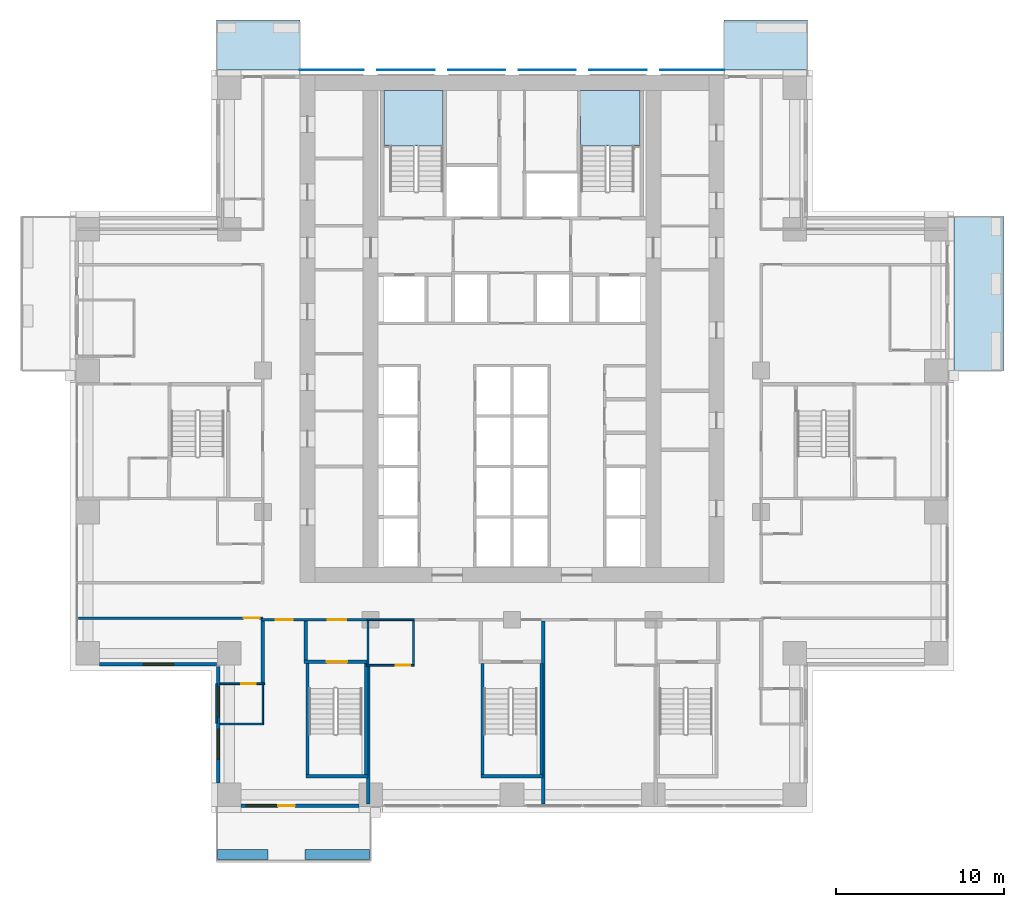
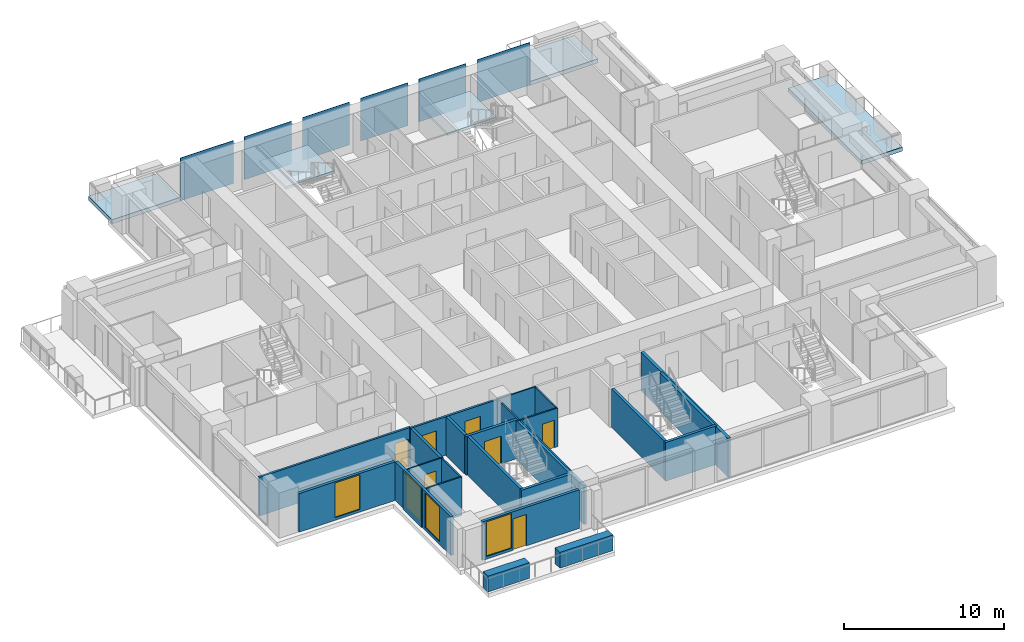
# One storey, part 6 of 16: 26 walls, 7 doors, 6 plates, 5 slabs, 4 windows, 11 openings, 2 elements without a shape of their own.
"""IFC4 building model written with IfcOpenShell, lengths in metres."""

from ifc_helpers import new_model, si_unit, direction, frame, frame_2d, origin, origin_2d, place, context, subcontext, project, spatial, polyline, rectangle, outline, extrude, material, layer, layer_set, type_object, element, fill, aggregate, save


model = new_model("IFC4")

# Units and contexts
model_context = context("Model", 3, precision=1e-05, world=origin(), true_north=direction((0.0, 1.0)))
body_context = subcontext(model_context, "Body", "Model", "MODEL_VIEW")
ifc_project = project(units=[si_unit("LENGTHUNIT", "METRE"), si_unit("AREAUNIT", "SQUARE_METRE"), si_unit("VOLUMEUNIT", "CUBIC_METRE"), si_unit("PLANEANGLEUNIT", "RADIAN"), si_unit("MASSUNIT", "GRAM", prefix="KILO")], contexts=[model_context])

# Site, building, storey
site_placement = place(None, origin())
site = spatial("IfcSite", under=ifc_project, at=site_placement, CompositionType="ELEMENT")
building_placement = place(site_placement, origin())
building = spatial("IfcBuilding", under=site, at=building_placement, Name="Vermilion Ogive Tower", CompositionType="ELEMENT")
storey_placement = place(building_placement, frame((0.0, 0.0, 72.449951171875)))
storey = spatial("IfcBuildingStorey", under=building, at=storey_placement, Name="L17", CompositionType="ELEMENT", Elevation=72.449951171875)

# Slabs
ifc_material_1 = material(Name="Concrete B40", Category="concrete")
ifc_layer_1 = layer(ifc_material_1, 0.300048828125)
ifc_layer_set_1 = layer_set([ifc_layer_1], Name="Balcony slab")
slab_type_1 = type_object("IfcSlabType", Name="Balcony slab", PredefinedType="FLOOR", material=ifc_layer_set_1)
slab_1_placement = place(storey_placement, frame((0.0, 0.0, -0.33984375)))
element("IfcSlab", 1, at=slab_1_placement, inside=storey, type_object=slab_type_1, Name="Balcony slab E03", PredefinedType="FLOOR", context=body_context, shape_type="SweptSolid", body=[
    extrude(outline(polyline([(29.22998046875, 4.199951171875), (29.22998046875, 13.35009765625), (26.25, 13.35009765625), (26.25, 4.199951171875), (29.22998046875, 4.199951171875)])), origin(), (0.0, 0.0, 1.0), 0.2998046875),
])
slab_2_placement = place(storey_placement, frame((0.0, 0.0, -0.33984375)))
element("IfcSlab", 2, at=slab_2_placement, inside=storey, type_object=slab_type_1, Name="Balcony slab N101", PredefinedType="FLOOR", context=body_context, shape_type="SweptSolid", body=[
    extrude(outline(polyline([(17.550048828125, 25.030029296875), (12.60009765625, 25.030029296875), (12.60009765625, 22.050048828125), (17.550048828125, 22.050048828125), (17.550048828125, 25.030029296875)])), origin(), (0.0, 0.0, 1.0), 0.2998046875),
])
slab_3_placement = place(storey_placement, frame((0.0, 0.0, -0.33984375)))
element("IfcSlab", 3, at=slab_3_placement, inside=storey, type_object=slab_type_1, Name="Balcony slab N201", PredefinedType="FLOOR", context=body_context, shape_type="SweptSolid", body=[
    extrude(outline(polyline([(-12.60009765625, 25.030029296875), (-17.550048828125, 25.030029296875), (-17.550048828125, 22.050048828125), (-12.60009765625, 22.050048828125), (-12.60009765625, 25.030029296875)])), origin(), (0.0, 0.0, 1.0), 0.2998046875),
])

# Plates
ifc_material_2 = material(Name="Low-iron laminated glazing in aluminium frame", Category="aluminium")
ifc_layer_2 = layer(ifc_material_2, 0.031982421875)
ifc_layer_set_2 = layer_set([ifc_layer_2], Name="Glazed rainscreen sheet 32")
plate_type = type_object("IfcPlateType", Name="Glazed rainscreen sheet 32", PredefinedType="SHEET", material=ifc_layer_set_2)
plate_1_placement = place(storey_placement, frame((-10.7099609375, 22.06591796875, -0.320068359375), z_axis=(0.0, 0.0, 1.0), x_axis=(1.0, 0.0, 0.0)))
element("IfcPlate", 4, at=plate_1_placement, inside=storey, type_object=plate_type, Name="Glazed rainscreen sheet N1", PredefinedType="SHEET", context=body_context, shape_type="SweptSolid", body=[
    extrude(rectangle(XDim=3.820068359375, YDim=0.031982421875, at=origin_2d()), origin(), (0.0, 0.0, 1.0), 3.27001953125),
])
for number, where, z_axis, x_axis, name in (
    (5, (-6.300048828125, 22.06591796875, -0.320068359375), (0.0, 0.0, 1.0), (1.0, 0.0, 0.0), "Glazed rainscreen sheet N2"),
    (6, (-2.10009765625, 22.06591796875, -0.320068359375), (0.0, 0.0, 1.0), (1.0, 0.0, 0.0), "Glazed rainscreen sheet N3"),
    (7, (2.10009765625, 22.06591796875, -0.320068359375), (0.0, 0.0, 1.0), (1.0, 0.0, 0.0), "Glazed rainscreen sheet N4"),
    (8, (6.300048828125, 22.06591796875, -0.320068359375), (0.0, 0.0, 1.0), (1.0, 0.0, 0.0), "Glazed rainscreen sheet N5"),
):
    element("IfcPlate", number, at=place(storey_placement, frame(where, z_axis=z_axis, x_axis=x_axis)), inside=storey, type_object=plate_type, Name=name, PredefinedType="SHEET", context=body_context, shape_type="SweptSolid", body=[
        extrude(rectangle(XDim=3.39990234375, YDim=0.031982421875, at=origin_2d()), origin(), (0.0, 0.0, 1.0), 3.27001953125),
    ])
plate_2_placement = place(storey_placement, frame((10.7099609375, 22.06591796875, -0.320068359375), z_axis=(0.0, 0.0, 1.0), x_axis=(1.0, 0.0, 0.0)))
element("IfcPlate", 9, at=plate_2_placement, inside=storey, type_object=plate_type, Name="Glazed rainscreen sheet N6", PredefinedType="SHEET", context=body_context, shape_type="SweptSolid", body=[
    extrude(rectangle(XDim=3.820068359375, YDim=0.031982421875, at=origin_2d()), origin(), (0.0, 0.0, 1.0), 3.27001953125),
])

# Stair, slab
ifc_material_3 = material(Name="Concrete B40", Category="concrete")
stair_type = type_object("IfcStairType", Name="Exit stair 1500", PredefinedType="HALF_TURN_STAIR", material=ifc_material_3)
stair_1_placement = place(storey_placement, origin())
stair_1 = element("IfcStair", 10, at=stair_1_placement, inside=storey, type_object=stair_type, Name="L17 Exit Stair ST1", PredefinedType="HALF_TURN_STAIR")
ifc_material_4 = material(Name="Concrete B40", Category="concrete")
ifc_layer_3 = layer(ifc_material_4, 0.199951171875)
ifc_layer_set_3 = layer_set([ifc_layer_3], Name="Stair landing 200")
slab_type_2 = type_object("IfcSlabType", Name="Stair landing 200", PredefinedType="LANDING", material=ifc_layer_set_3)
slab_4_placement = place(storey_placement, frame((0.0, 0.0, 1.525146484375)))
slab_4 = element("IfcSlab", 11, at=slab_4_placement, type_object=slab_type_2, Name="ST1 landing 1", PredefinedType="LANDING", context=body_context, shape_type="SweptSolid", body=[
    extrude(outline(polyline([(-7.60009765625, 17.550048828125), (-7.25, 17.550048828125), (-7.25, 17.548095703125), (-5.75, 17.548095703125), (-5.75, 17.550048828125), (-5.60009765625, 17.550048828125), (-5.60009765625, 17.548095703125), (-4.10009765625, 17.548095703125), (-4.10009765625, 20.85009765625), (-7.60009765625, 20.85009765625), (-7.60009765625, 17.550048828125)])), origin(), (0.0, 0.0, 1.0), 0.199951171875),
])
aggregate(stair_1, [slab_4])

stair_2_placement = place(storey_placement, origin())
stair_2 = element("IfcStair", 12, at=stair_2_placement, inside=storey, type_object=stair_type, Name="L17 Exit Stair ST2", PredefinedType="HALF_TURN_STAIR")
slab_5_placement = place(storey_placement, frame((0.0, 0.0, 1.525146484375)))
slab_5 = element("IfcSlab", 13, at=slab_5_placement, type_object=slab_type_2, Name="ST2 landing 1", PredefinedType="LANDING", context=body_context, shape_type="SweptSolid", body=[
    extrude(outline(polyline([(5.60009765625, 17.550048828125), (5.75, 17.550048828125), (5.75, 17.548095703125), (7.25, 17.548095703125), (7.25, 17.550048828125), (7.60009765625, 17.550048828125), (7.60009765625, 20.85009765625), (4.074951171875, 20.85009765625), (4.074951171875, 17.550048828125), (4.10009765625, 17.550048828125), (4.10009765625, 17.548095703125), (5.60009765625, 17.548095703125), (5.60009765625, 17.550048828125)])), origin(), (0.0, 0.0, 1.0), 0.199951171875),
])
aggregate(stair_2, [slab_5])

# Wall
ifc_material_5 = material(Name="Gypsum board partition on steel studs", Category="steel")
ifc_layer_4 = layer(ifc_material_5, 0.10009765625)
ifc_layer_set_4 = layer_set([ifc_layer_4], Name="Partition 100 bath")
wall_type_1 = type_object("IfcWallType", Name="Partition 100 bath", PredefinedType="PARTITIONING", material=ifc_layer_set_4)
wall_1_placement = place(storey_placement, frame((-17.35009765625, -16.800048828125, 0.0), z_axis=(0.0, 0.0, 1.0), x_axis=(1.0, 0.0, 0.0)))
element("IfcWall", 14, at=wall_1_placement, inside=storey, type_object=wall_type_1, Name="L17-W-W004", PredefinedType="PARTITIONING", context=body_context, shape_type="SweptSolid", body=[
    extrude(rectangle(XDim=2.59814453125, YDim=0.10009765625, at=frame_2d((1.299072265625, 0.0))), origin(), (0.0, 0.0, 1.0), 2.949951171875),
])

# Wall, opening, door
wall_2_placement = place(storey_placement, frame((-17.35009765625, -14.39990234375, 0.0), z_axis=(0.0, 0.0, 1.0), x_axis=(1.0, 0.0, 0.0)))
wall_2 = element("IfcWall", 15, at=wall_2_placement, inside=storey, type_object=wall_type_1, Name="L17-W-W008", PredefinedType="PARTITIONING", context=body_context, shape_type="SweptSolid", body=[
    extrude(rectangle(XDim=2.650146484375, YDim=0.10009765625, at=frame_2d((1.3251953125, 0.0))), origin(), (0.0, 0.0, 1.0), 2.949951171875),
])
opening_1_placement = place(wall_2_placement, frame((1.27490234375, 0.0, 0.0)))
opening_1 = element("IfcOpeningElement", 16, at=opening_1_placement, cuts=wall_2, Name="Opening D1G6002", PredefinedType="OPENING", context=body_context, shape_type="SweptSolid", body=[
    extrude(rectangle(XDim=0.85009765625, YDim=2.10009765625, at=frame_2d((0.425048828125, 1.050048828125))), frame((0.0, 0.06005859375, 0.0), z_axis=(0.0, -1.0, 0.0), x_axis=(1.0, 0.0, 0.0)), (0.0, 0.0, 1.0), 0.1201171875),
])
ifc_material_6 = material(Name="Timber door leaf", Category="wood")
door_type_1 = type_object("IfcDoorType", Name="Bath door 850 x 2100 FD30", OperationType="SINGLE_SWING_LEFT", PredefinedType="DOOR", material=ifc_material_6)
door_1_placement = place(opening_1_placement, origin())
door_1 = element("IfcDoor", 17, at=door_1_placement, inside=storey, type_object=door_type_1, Name="L17-D-D002", OperationType="SINGLE_SWING_RIGHT", OverallHeight=2.10009765625, OverallWidth=0.85009765625, PredefinedType="DOOR", context=body_context, shape_type="SweptSolid", body=[
    extrude(rectangle(XDim=0.85009765625, YDim=2.10009765625, at=frame_2d((0.425048828125, 1.050048828125))), frame((0.0, 0.02490234375, 0.0), z_axis=(0.0, -1.0, 0.0), x_axis=(1.0, 0.0, 0.0)), (0.0, 0.0, 1.0), 0.050048828125),
])
fill(opening_1, door_1)

wall_3_placement = place(storey_placement, frame((-8.64990234375, -13.300048828125, 0.0), z_axis=(0.0, 0.0, 1.0), x_axis=(1.0, 0.0, 0.0)))
wall_3 = element("IfcWall", 18, at=wall_3_placement, inside=storey, type_object=wall_type_1, Name="L17-W-W009", PredefinedType="PARTITIONING", context=body_context, shape_type="SweptSolid", body=[
    extrude(rectangle(XDim=2.847900390625, YDim=0.10009765625, at=frame_2d((1.423828125, 0.0))), origin(), (0.0, 0.0, 1.0), 2.949951171875),
])
opening_2_placement = place(wall_3_placement, frame((1.75, 0.0, 0.0)))
opening_2 = element("IfcOpeningElement", 19, at=opening_2_placement, cuts=wall_3, Name="Opening D1G6012", PredefinedType="OPENING", context=body_context, shape_type="SweptSolid", body=[
    extrude(rectangle(XDim=0.85009765625, YDim=2.10009765625, at=frame_2d((0.425048828125, 1.050048828125))), frame((0.0, 0.06005859375, 0.0), z_axis=(0.0, -1.0, 0.0), x_axis=(1.0, 0.0, 0.0)), (0.0, 0.0, 1.0), 0.1201171875),
])
door_2_placement = place(opening_2_placement, origin())
door_2 = element("IfcDoor", 20, at=door_2_placement, inside=storey, type_object=door_type_1, Name="L17-D-D012", OperationType="SINGLE_SWING_RIGHT", OverallHeight=2.10009765625, OverallWidth=0.85009765625, PredefinedType="DOOR", context=body_context, shape_type="SweptSolid", body=[
    extrude(rectangle(XDim=0.85009765625, YDim=2.10009765625, at=frame_2d((0.425048828125, 1.050048828125))), frame((0.0, 0.02490234375, 0.0), z_axis=(0.0, -1.0, 0.0), x_axis=(1.0, 0.0, 0.0)), (0.0, 0.0, 1.0), 0.050048828125),
])
fill(opening_2, door_2)

# Walls
wall_4_placement = place(storey_placement, frame((-8.60009765625, -10.60009765625, 0.0), z_axis=(0.0, 0.0, 1.0), x_axis=(1.0, 0.0, 0.0)))
element("IfcWall", 21, at=wall_4_placement, inside=storey, type_object=wall_type_1, Name="L17-W-W015", PredefinedType="PARTITIONING", context=body_context, shape_type="SweptSolid", body=[
    extrude(rectangle(XDim=2.800048828125, YDim=0.10009765625, at=frame_2d((1.39990234375, 0.0))), origin(), (0.0, 0.0, 1.0), 2.949951171875),
])
wall_5_placement = place(storey_placement, frame((-17.550048828125, -16.75, 0.0), z_axis=(0.0, 0.0, 1.0), x_axis=(0.0, 1.0, 0.0)))
element("IfcWall", 22, at=wall_5_placement, inside=storey, type_object=wall_type_1, Name="L17-W-W054", PredefinedType="PARTITIONING", context=body_context, shape_type="SweptSolid", body=[
    extrude(rectangle(XDim=2.35009765625, YDim=0.10009765625, at=frame_2d((1.175048828125, 0.0))), origin(), (0.0, 0.0, 1.0), 2.949951171875),
])
wall_6_placement = place(storey_placement, frame((-14.800048828125, -16.748046875, 0.0), z_axis=(0.0, 0.0, 1.0), x_axis=(0.0, 1.0, 0.0)))
element("IfcWall", 23, at=wall_6_placement, inside=storey, type_object=wall_type_1, Name="L17-W-W058", PredefinedType="PARTITIONING", context=body_context, shape_type="SweptSolid", body=[
    extrude(rectangle(XDim=2.298095703125, YDim=0.10009765625, at=frame_2d((1.14892578125, 0.0))), origin(), (0.0, 0.0, 1.0), 2.949951171875),
])
wall_7_placement = place(storey_placement, frame((-8.550048828125, -13.25, 0.0), z_axis=(0.0, 0.0, 1.0), x_axis=(0.0, 1.0, 0.0)))
element("IfcWall", 24, at=wall_7_placement, inside=storey, type_object=wall_type_1, Name="L17-W-W069", PredefinedType="PARTITIONING", context=body_context, shape_type="SweptSolid", body=[
    extrude(rectangle(XDim=2.574951171875, YDim=0.10009765625, at=frame_2d((1.28759765625, 0.0))), origin(), (0.0, 0.0, 1.0), 2.949951171875),
])
wall_8_placement = place(storey_placement, frame((-5.85009765625, -13.248046875, 0.0), z_axis=(0.0, 0.0, 1.0), x_axis=(0.0, 1.0, 0.0)))
element("IfcWall", 25, at=wall_8_placement, inside=storey, type_object=wall_type_1, Name="L17-W-W070", PredefinedType="PARTITIONING", context=body_context, shape_type="SweptSolid", body=[
    extrude(rectangle(XDim=2.572998046875, YDim=0.10009765625, at=frame_2d((1.28662109375, 0.0))), origin(), (0.0, 0.0, 1.0), 2.949951171875),
])

# Wall, openings, doors
ifc_material_7 = material(Name="Gypsum board partition on steel studs", Category="steel")
ifc_layer_5 = layer(ifc_material_7, 0.14990234375)
ifc_layer_set_5 = layer_set([ifc_layer_5], Name="Partition 150 corridor")
wall_type_2 = type_object("IfcWallType", Name="Partition 150 corridor", PredefinedType="PARTITIONING", material=ifc_layer_set_5)
wall_9_placement = place(storey_placement, frame((-14.89990234375, -10.60009765625, 0.0), z_axis=(0.0, 0.0, 1.0), x_axis=(1.0, 0.0, 0.0)))
wall_9 = element("IfcWall", 26, at=wall_9_placement, inside=storey, type_object=wall_type_2, Name="L17-W-W014", PredefinedType="PARTITIONING", context=body_context, shape_type="SweptSolid", body=[
    extrude(rectangle(XDim=6.39990234375, YDim=0.14990234375, at=frame_2d((3.199951171875, 0.0))), origin(), (0.0, 0.0, 1.0), 2.949951171875),
])
opening_3_placement = place(wall_9_placement, frame((3.949951171875, 0.0, 0.0)))
opening_3 = element("IfcOpeningElement", 27, at=opening_3_placement, cuts=wall_9, Name="Opening D1G6025", PredefinedType="OPENING", context=body_context, shape_type="SweptSolid", body=[
    extrude(rectangle(XDim=1.10009765625, YDim=2.10009765625, at=frame_2d((0.550048828125, 1.050048828125))), frame((0.0, 0.0849609375, 0.0), z_axis=(0.0, -1.0, 0.0), x_axis=(1.0, 0.0, 0.0)), (0.0, 0.0, 1.0), 0.169921875),
])
opening_4_placement = place(wall_9_placement, frame((0.875, 0.0, 0.0)))
opening_4 = element("IfcOpeningElement", 28, at=opening_4_placement, cuts=wall_9, Name="Opening D1G6035", PredefinedType="OPENING", context=body_context, shape_type="SweptSolid", body=[
    extrude(rectangle(XDim=1.0, YDim=2.10009765625, at=frame_2d((0.5, 1.050048828125))), frame((0.0, 0.0849609375, 0.0), z_axis=(0.0, -1.0, 0.0), x_axis=(1.0, 0.0, 0.0)), (0.0, 0.0, 1.0), 0.169921875),
])
ifc_material_8 = material(Name="Timber door leaf", Category="wood")
door_type_2 = type_object("IfcDoorType", Name="Stair door 1100 x 2100 FD60S", OperationType="SINGLE_SWING_LEFT", PredefinedType="DOOR", material=ifc_material_8)
door_3_placement = place(opening_3_placement, origin())
door_3 = element("IfcDoor", 29, at=door_3_placement, inside=storey, type_object=door_type_2, Name="L17-D-D025", OperationType="SINGLE_SWING_RIGHT", OverallHeight=2.10009765625, OverallWidth=1.10009765625, PredefinedType="DOOR", context=body_context, shape_type="SweptSolid", body=[
    extrude(rectangle(XDim=1.10009765625, YDim=2.10009765625, at=frame_2d((0.550048828125, 1.050048828125))), frame((0.0, 0.02490234375, 0.0), z_axis=(0.0, -1.0, 0.0), x_axis=(1.0, 0.0, 0.0)), (0.0, 0.0, 1.0), 0.050048828125),
])
fill(opening_3, door_3)
ifc_material_9 = material(Name="Timber door leaf", Category="wood")
door_type_3 = type_object("IfcDoorType", Name="Unit door 1000 x 2100 FD30S", OperationType="SINGLE_SWING_LEFT", PredefinedType="DOOR", material=ifc_material_9)
door_4_placement = place(opening_4_placement, origin())
door_4 = element("IfcDoor", 30, at=door_4_placement, inside=storey, type_object=door_type_3, Name="L17-D-D035", OperationType="SINGLE_SWING_RIGHT", OverallHeight=2.10009765625, OverallWidth=1.0, PredefinedType="DOOR", context=body_context, shape_type="SweptSolid", body=[
    extrude(rectangle(XDim=1.0, YDim=2.10009765625, at=frame_2d((0.5, 1.050048828125))), frame((0.0, 0.02490234375, 0.0), z_axis=(0.0, -1.0, 0.0), x_axis=(1.0, 0.0, 0.0)), (0.0, 0.0, 1.0), 0.050048828125),
])
fill(opening_4, door_4)

# Wall, opening, door
wall_10_placement = place(storey_placement, frame((-25.75, -10.5, 0.0), z_axis=(0.0, 0.0, 1.0), x_axis=(1.0, 0.0, 0.0)))
wall_10 = element("IfcWall", 31, at=wall_10_placement, inside=storey, type_object=wall_type_2, Name="L17-W-W019", PredefinedType="PARTITIONING", context=body_context, shape_type="SweptSolid", body=[
    extrude(rectangle(XDim=10.949951171875, YDim=0.14990234375, at=frame_2d((5.47509765625, 0.0))), origin(), (0.0, 0.0, 1.0), 2.949951171875),
])
opening_5_placement = place(wall_10_placement, frame((9.800048828125, 0.0, 0.0)))
opening_5 = element("IfcOpeningElement", 32, at=opening_5_placement, cuts=wall_10, Name="Opening D1G6001", PredefinedType="OPENING", context=body_context, shape_type="SweptSolid", body=[
    extrude(rectangle(XDim=0.949951171875, YDim=2.10009765625, at=frame_2d((0.47509765625, 1.050048828125))), frame((0.0, 0.0849609375, 0.0), z_axis=(0.0, -1.0, 0.0), x_axis=(1.0, 0.0, 0.0)), (0.0, 0.0, 1.0), 0.169921875),
])
ifc_material_10 = material(Name="Timber door leaf", Category="wood")
door_type_4 = type_object("IfcDoorType", Name="Unit door 950 x 2100 FD30S", OperationType="SINGLE_SWING_LEFT", PredefinedType="DOOR", material=ifc_material_10)
door_5_placement = place(opening_5_placement, origin())
door_5 = element("IfcDoor", 33, at=door_5_placement, inside=storey, type_object=door_type_4, Name="L17-D-D001", OperationType="SINGLE_SWING_RIGHT", OverallHeight=2.10009765625, OverallWidth=0.949951171875, PredefinedType="DOOR", context=body_context, shape_type="SweptSolid", body=[
    extrude(rectangle(XDim=0.949951171875, YDim=2.10009765625, at=frame_2d((0.47509765625, 1.050048828125))), frame((0.0, 0.02490234375, 0.0), z_axis=(0.0, -1.0, 0.0), x_axis=(1.0, 0.0, 0.0)), (0.0, 0.0, 1.0), 0.050048828125),
])
fill(opening_5, door_5)

# Walls
ifc_material_11 = material(Name="Gypsum board partition on steel studs", Category="steel")
ifc_layer_6 = layer(ifc_material_11, 0.199951171875)
ifc_layer_set_6 = layer_set([ifc_layer_6], Name="Partition 200 party")
wall_type_3 = type_object("IfcWallType", Name="Partition 200 party", PredefinedType="PARTITIONING", material=ifc_layer_set_6)
wall_11_placement = place(storey_placement, frame((-14.800048828125, -14.35009765625, 0.0), z_axis=(0.0, 0.0, 1.0), x_axis=(0.0, 1.0, 0.0)))
element("IfcWall", 34, at=wall_11_placement, inside=storey, type_object=wall_type_3, Name="L17-W-W059", PredefinedType="PARTITIONING", context=body_context, shape_type="SweptSolid", body=[
    extrude(rectangle(XDim=3.675048828125, YDim=0.199951171875, at=frame_2d((1.83740234375, 0.0))), origin(), (0.0, 0.0, 1.0), 2.949951171875),
])
wall_12_placement = place(storey_placement, frame((-12.25, -12.998046875, 0.0), z_axis=(0.0, 0.0, 1.0), x_axis=(0.0, 1.0, 0.0)))
element("IfcWall", 35, at=wall_12_placement, inside=storey, type_object=wall_type_3, Name="L17-W-W065", PredefinedType="PARTITIONING", context=body_context, shape_type="SweptSolid", body=[
    extrude(rectangle(XDim=2.322998046875, YDim=0.199951171875, at=frame_2d((1.16162109375, 0.0))), origin(), (0.0, 0.0, 1.0), 2.949951171875),
])
ifc_material_12 = material(Name="Concrete B60", Category="concrete")
ifc_layer_7 = layer(ifc_material_12, 0.199951171875)
ifc_layer_set_7 = layer_set([ifc_layer_7], Name="Stair shaft wall 200 Concrete B60")
wall_type_4 = type_object("IfcWallType", Name="Stair shaft wall 200 Concrete B60", PredefinedType="SOLIDWALL", material=ifc_layer_set_7)
wall_13_placement = place(storey_placement, frame((-12.248046875, -19.89990234375, 0.0), z_axis=(0.0, 0.0, 1.0), x_axis=(1.0, 0.0, 0.0)))
element("IfcWall", 36, at=wall_13_placement, inside=storey, type_object=wall_type_4, Name="L17-W-W001", PredefinedType="SOLIDWALL", context=body_context, shape_type="SweptSolid", body=[
    extrude(rectangle(XDim=3.696044921875, YDim=0.199951171875, at=frame_2d((1.84814453125, 0.0))), origin(), (0.0, 0.0, 1.0), 2.949951171875),
])
wall_14_placement = place(storey_placement, frame((-1.847900390625, -19.89990234375, 0.0), z_axis=(0.0, 0.0, 1.0), x_axis=(1.0, 0.0, 0.0)))
element("IfcWall", 37, at=wall_14_placement, inside=storey, type_object=wall_type_4, Name="L17-W-W002", PredefinedType="SOLIDWALL", context=body_context, shape_type="SweptSolid", body=[
    extrude(rectangle(XDim=3.69580078125, YDim=0.199951171875, at=frame_2d((1.847900390625, 0.0))), origin(), (0.0, 0.0, 1.0), 2.949951171875),
])

# Wall, opening, door
wall_15_placement = place(storey_placement, frame((-12.347900390625, -13.10009765625, 0.0), z_axis=(0.0, 0.0, 1.0), x_axis=(1.0, 0.0, 0.0)))
wall_15 = element("IfcWall", 38, at=wall_15_placement, inside=storey, type_object=wall_type_4, Name="L17-W-W011", PredefinedType="SOLIDWALL", context=body_context, shape_type="SweptSolid", body=[
    extrude(rectangle(XDim=3.745849609375, YDim=0.199951171875, at=frame_2d((1.873046875, 0.0))), origin(), (0.0, 0.0, 1.0), 2.949951171875),
])
opening_6_placement = place(wall_15_placement, frame((1.347900390625, 0.0, 0.0)))
opening_6 = element("IfcOpeningElement", 39, at=opening_6_placement, cuts=wall_15, Name="Opening D1G6026", PredefinedType="OPENING", context=body_context, shape_type="SweptSolid", body=[
    extrude(rectangle(XDim=1.199951171875, YDim=2.10009765625, at=frame_2d((0.60009765625, 1.050048828125))), frame((0.0, 0.10986328125, 0.0), z_axis=(0.0, -1.0, 0.0), x_axis=(1.0, 0.0, 0.0)), (0.0, 0.0, 1.0), 0.219970703125),
])
ifc_material_13 = material(Name="Timber door leaf", Category="wood")
door_type_5 = type_object("IfcDoorType", Name="Stair door 1200 x 2100 FD60S", OperationType="SINGLE_SWING_LEFT", PredefinedType="DOOR", material=ifc_material_13)
door_6_placement = place(opening_6_placement, origin())
door_6 = element("IfcDoor", 40, at=door_6_placement, inside=storey, type_object=door_type_5, Name="L17-D-D026", OperationType="SINGLE_SWING_RIGHT", OverallHeight=2.10009765625, OverallWidth=1.199951171875, PredefinedType="DOOR", context=body_context, shape_type="SweptSolid", body=[
    extrude(rectangle(XDim=1.199951171875, YDim=2.10009765625, at=frame_2d((0.60009765625, 1.050048828125))), frame((0.0, 0.02490234375, 0.0), z_axis=(0.0, -1.0, 0.0), x_axis=(1.0, 0.0, 0.0)), (0.0, 0.0, 1.0), 0.050048828125),
])
fill(opening_6, door_6)

# Walls
for number, where, z_axis, x_axis, name in (
    (41, (-12.14990234375, -19.798095703125, 0.0), (0.0, 0.0, 1.0), (0.0, 1.0, 0.0), "L17-W-W066"),
    (42, (-8.64990234375, -19.798095703125, 0.0), (0.0, 0.0, 1.0), (0.0, 1.0, 0.0), "L17-W-W067"),
):
    element("IfcWall", number, at=place(storey_placement, frame(where, z_axis=z_axis, x_axis=x_axis)), inside=storey, type_object=wall_type_4, Name=name, PredefinedType="SOLIDWALL", context=body_context, shape_type="SweptSolid", body=[
        extrude(rectangle(XDim=6.59619140625, YDim=0.199951171875, at=frame_2d((3.298095703125, 0.0))), origin(), (0.0, 0.0, 1.0), 2.949951171875),
    ])
wall_16_placement = place(storey_placement, frame((-8.550048828125, -21.550048828125, 0.0), z_axis=(0.0, 0.0, 1.0), x_axis=(0.0, 1.0, 0.0)))
element("IfcWall", 43, at=wall_16_placement, inside=storey, type_object=wall_type_4, Name="L17-W-W068", PredefinedType="SOLIDWALL", context=body_context, shape_type="SweptSolid", body=[
    extrude(rectangle(XDim=8.199951171875, YDim=0.199951171875, at=frame_2d((4.10009765625, 0.0))), origin(), (0.0, 0.0, 1.0), 2.949951171875),
])
for number, where, z_axis, x_axis, name in (
    (44, (-1.75, -19.798095703125, 0.0), (0.0, 0.0, 1.0), (0.0, 1.0, 0.0), "L17-W-W072"),
    (45, (1.75, -19.798095703125, 0.0), (0.0, 0.0, 1.0), (0.0, 1.0, 0.0), "L17-W-W073"),
):
    element("IfcWall", number, at=place(storey_placement, frame(where, z_axis=z_axis, x_axis=x_axis)), inside=storey, type_object=wall_type_4, Name=name, PredefinedType="SOLIDWALL", context=body_context, shape_type="SweptSolid", body=[
        extrude(rectangle(XDim=6.59619140625, YDim=0.199951171875, at=frame_2d((3.298095703125, 0.0))), origin(), (0.0, 0.0, 1.0), 2.949951171875),
    ])
wall_17_placement = place(storey_placement, frame((1.85009765625, -21.550048828125, 0.0), z_axis=(0.0, 0.0, 1.0), x_axis=(0.0, 1.0, 0.0)))
element("IfcWall", 46, at=wall_17_placement, inside=storey, type_object=wall_type_4, Name="L17-W-W074-A", PredefinedType="SOLIDWALL", context=body_context, shape_type="SweptSolid", body=[
    extrude(rectangle(XDim=10.875, YDim=0.199951171875, at=frame_2d((5.4375, 0.0))), origin(), (0.0, 0.0, 1.0), 2.949951171875),
])
ifc_material_14 = material(Name="Concrete B40", Category="concrete")
ifc_layer_8 = layer(ifc_material_14, 0.60009765625)
ifc_layer_set_8 = layer_set([ifc_layer_8], Name="Structural planter")
wall_type_5 = type_object("IfcWallType", Name="Structural planter", PredefinedType="USERDEFINED", material=ifc_layer_set_8)
wall_18_placement = place(storey_placement, frame((-17.489990234375, -24.550048828125, -0.0400390625), z_axis=(0.0, 0.0, 1.0), x_axis=(1.0, 0.0, 0.0)))
element("IfcWall", 47, at=wall_18_placement, inside=storey, type_object=wall_type_5, Name="Planter S01A1", ObjectType="PLANTER", PredefinedType="USERDEFINED", context=body_context, shape_type="SweptSolid", body=[
    extrude(rectangle(XDim=2.989990234375, YDim=0.60009765625, at=frame_2d((1.4951171875, 0.0))), origin(), (0.0, 0.0, 1.0), 1.2001953125),
])
wall_19_placement = place(storey_placement, frame((-12.300048828125, -24.550048828125, -0.0400390625), z_axis=(0.0, 0.0, 1.0), x_axis=(1.0, 0.0, 0.0)))
element("IfcWall", 48, at=wall_19_placement, inside=storey, type_object=wall_type_5, Name="Planter S01A2", ObjectType="PLANTER", PredefinedType="USERDEFINED", context=body_context, shape_type="SweptSolid", body=[
    extrude(rectangle(XDim=3.840087890625, YDim=0.60009765625, at=frame_2d((1.919921875, 0.0))), origin(), (0.0, 0.0, 1.0), 1.2001953125),
])

# Wall, openings, door, window
ifc_material_15 = material(Name="Aluminium window wall framing", Category="aluminium")
ifc_layer_9 = layer(ifc_material_15, 0.199951171875)
ifc_layer_set_9 = layer_set([ifc_layer_9], Name="Window wall")
wall_type_6 = type_object("IfcWallType", Name="Window wall", PredefinedType="STANDARD", material=ifc_layer_set_9)
wall_20_placement = place(storey_placement, frame((-16.10009765625, -21.64990234375, 0.0), z_axis=(0.0, 0.0, 1.0), x_axis=(1.0, 0.0, 0.0)))
wall_20 = element("IfcWall", 49, at=wall_20_placement, inside=storey, type_object=wall_type_6, Name="Window wall S1", PredefinedType="STANDARD", context=body_context, shape_type="SweptSolid", body=[
    extrude(rectangle(XDim=7.0, YDim=0.199951171875, at=frame_2d((3.5, 0.0))), origin(), (0.0, 0.0, 1.0), 2.949951171875),
])
opening_7_placement = place(wall_20_placement, frame((0.300048828125, 0.0, 0.199951171875)))
opening_7 = element("IfcOpeningElement", 50, at=opening_7_placement, cuts=wall_20, Name="Opening W1-S96", PredefinedType="OPENING", context=body_context, shape_type="SweptSolid", body=[
    extrude(rectangle(XDim=1.800048828125, YDim=2.64990234375, at=frame_2d((0.89990234375, 1.324951171875))), frame((0.0, 0.10986328125, 0.0), z_axis=(0.0, -1.0, 0.0), x_axis=(1.0, 0.0, 0.0)), (0.0, 0.0, 1.0), 0.219970703125),
])
opening_8_placement = place(wall_20_placement, frame((2.199951171875, 0.0, 0.0)))
opening_8 = element("IfcOpeningElement", 51, at=opening_8_placement, cuts=wall_20, Name="Opening D1-S96", PredefinedType="OPENING", context=body_context, shape_type="SweptSolid", body=[
    extrude(rectangle(XDim=1.0, YDim=2.39990234375, at=frame_2d((0.5, 1.199951171875))), frame((0.0, 0.10986328125, 0.0), z_axis=(0.0, -1.0, 0.0), x_axis=(1.0, 0.0, 0.0)), (0.0, 0.0, 1.0), 0.219970703125),
])
ifc_material_16 = material(Name="Aluminium framed glazed door", Category="aluminium")
door_type_6 = type_object("IfcDoorType", Name="Balcony door D1", OperationType="SINGLE_SWING_LEFT", PredefinedType="DOOR", material=ifc_material_16)
door_7_placement = place(opening_8_placement, origin())
door_7 = element("IfcDoor", 52, at=door_7_placement, inside=storey, type_object=door_type_6, Name="Balcony door S96", OperationType="SINGLE_SWING_LEFT", OverallHeight=2.39990234375, OverallWidth=1.0, PredefinedType="DOOR", context=body_context, shape_type="SweptSolid", body=[
    extrude(rectangle(XDim=1.0, YDim=2.39990234375, at=frame_2d((0.5, 1.199951171875))), frame((0.0, 0.02490234375, 0.0), z_axis=(0.0, -1.0, 0.0), x_axis=(1.0, 0.0, 0.0)), (0.0, 0.0, 1.0), 0.050048828125),
])
fill(opening_8, door_7)
ifc_material_17 = material(Name="Aluminium framed double glazing", Category="aluminium")
window_type = type_object("IfcWindowType", Name="Guest window W1", PartitioningType="SINGLE_PANEL", PredefinedType="WINDOW", material=ifc_material_17)
window_1_placement = place(opening_7_placement, origin())
window_1 = element("IfcWindow", 53, at=window_1_placement, inside=storey, type_object=window_type, Name="Window S96", OverallHeight=2.64990234375, OverallWidth=1.800048828125, PartitioningType="SINGLE_PANEL", PredefinedType="WINDOW", context=body_context, shape_type="SweptSolid", body=[
    extrude(rectangle(XDim=1.800048828125, YDim=2.64990234375, at=frame_2d((0.89990234375, 1.324951171875))), frame((0.0, 0.030029296875, 0.0), z_axis=(0.0, -1.0, 0.0), x_axis=(1.0, 0.0, 0.0)), (0.0, 0.0, 1.0), 0.06005859375),
])
fill(opening_7, window_1)

# Wall, opening, window
wall_21_placement = place(storey_placement, frame((-24.5, -13.25, 0.0), z_axis=(0.0, 0.0, 1.0), x_axis=(1.0, 0.0, 0.0)))
wall_21 = element("IfcWall", 54, at=wall_21_placement, inside=storey, type_object=wall_type_6, Name="Window wall X71", PredefinedType="STANDARD", context=body_context, shape_type="SweptSolid", body=[
    extrude(rectangle(XDim=6.949951171875, YDim=0.199951171875, at=frame_2d((3.47509765625, 0.0))), origin(), (0.0, 0.0, 1.0), 2.949951171875),
])
opening_9_placement = place(wall_21_placement, frame((2.60009765625, 0.0, 0.199951171875)))
opening_9 = element("IfcOpeningElement", 55, at=opening_9_placement, cuts=wall_21, Name="Opening W1-X791", PredefinedType="OPENING", context=body_context, shape_type="SweptSolid", body=[
    extrude(rectangle(XDim=1.800048828125, YDim=2.64990234375, at=frame_2d((0.89990234375, 1.324951171875))), frame((0.0, 0.10986328125, 0.0), z_axis=(0.0, -1.0, 0.0), x_axis=(1.0, 0.0, 0.0)), (0.0, 0.0, 1.0), 0.219970703125),
])
window_2_placement = place(opening_9_placement, origin())
window_2 = element("IfcWindow", 56, at=window_2_placement, inside=storey, type_object=window_type, Name="Window X791", OverallHeight=2.64990234375, OverallWidth=1.800048828125, PartitioningType="SINGLE_PANEL", PredefinedType="WINDOW", context=body_context, shape_type="SweptSolid", body=[
    extrude(rectangle(XDim=1.800048828125, YDim=2.64990234375, at=frame_2d((0.89990234375, 1.324951171875))), frame((0.0, 0.030029296875, 0.0), z_axis=(0.0, -1.0, 0.0), x_axis=(1.0, 0.0, 0.0)), (0.0, 0.0, 1.0), 0.06005859375),
])
fill(opening_9, window_2)

# Wall, openings, windows
wall_22_placement = place(storey_placement, frame((-17.449951171875, -13.35009765625, 0.0), z_axis=(0.0, 0.0, 1.0), x_axis=(0.0, -1.0, 0.0)))
wall_22 = element("IfcWall", 57, at=wall_22_placement, inside=storey, type_object=wall_type_6, Name="Window wall X81", PredefinedType="STANDARD", context=body_context, shape_type="SweptSolid", body=[
    extrude(rectangle(XDim=6.949951171875, YDim=0.199951171875, at=frame_2d((3.47509765625, 0.0))), origin(), (0.0, 0.0, 1.0), 2.949951171875),
])
opening_10_placement = place(wall_22_placement, frame((3.75, 0.0, 0.199951171875)))
opening_10 = element("IfcOpeningElement", 58, at=opening_10_placement, cuts=wall_22, Name="Opening W1-X895", PredefinedType="OPENING", context=body_context, shape_type="SweptSolid", body=[
    extrude(rectangle(XDim=1.800048828125, YDim=2.64990234375, at=frame_2d((0.89990234375, 1.324951171875))), frame((0.0, 0.10986328125, 0.0), z_axis=(0.0, -1.0, 0.0), x_axis=(1.0, 0.0, 0.0)), (0.0, 0.0, 1.0), 0.219970703125),
])
opening_11_placement = place(wall_22_placement, frame((1.219970703125, 0.0, 0.199951171875)))
opening_11 = element("IfcOpeningElement", 59, at=opening_11_placement, cuts=wall_22, Name="Opening W1-X896", PredefinedType="OPENING", context=body_context, shape_type="SweptSolid", body=[
    extrude(rectangle(XDim=1.800048828125, YDim=2.64990234375, at=frame_2d((0.89990234375, 1.324951171875))), frame((0.0, 0.10986328125, 0.0), z_axis=(0.0, -1.0, 0.0), x_axis=(1.0, 0.0, 0.0)), (0.0, 0.0, 1.0), 0.219970703125),
])
window_3_placement = place(opening_10_placement, origin())
window_3 = element("IfcWindow", 60, at=window_3_placement, inside=storey, type_object=window_type, Name="Window X895", OverallHeight=2.64990234375, OverallWidth=1.800048828125, PartitioningType="SINGLE_PANEL", PredefinedType="WINDOW", context=body_context, shape_type="SweptSolid", body=[
    extrude(rectangle(XDim=1.800048828125, YDim=2.64990234375, at=frame_2d((0.89990234375, 1.324951171875))), frame((0.0, 0.030029296875, 0.0), z_axis=(0.0, -1.0, 0.0), x_axis=(1.0, 0.0, 0.0)), (0.0, 0.0, 1.0), 0.06005859375),
])
fill(opening_10, window_3)
window_4_placement = place(opening_11_placement, origin())
window_4 = element("IfcWindow", 61, at=window_4_placement, inside=storey, type_object=window_type, Name="Window X896", OverallHeight=2.64990234375, OverallWidth=1.800048828125, PartitioningType="SINGLE_PANEL", PredefinedType="WINDOW", context=body_context, shape_type="SweptSolid", body=[
    extrude(rectangle(XDim=1.800048828125, YDim=2.64990234375, at=frame_2d((0.89990234375, 1.324951171875))), frame((0.0, 0.030029296875, 0.0), z_axis=(0.0, -1.0, 0.0), x_axis=(1.0, 0.0, 0.0)), (0.0, 0.0, 1.0), 0.06005859375),
])
fill(opening_11, window_4)

save(model, "model.ifc")
